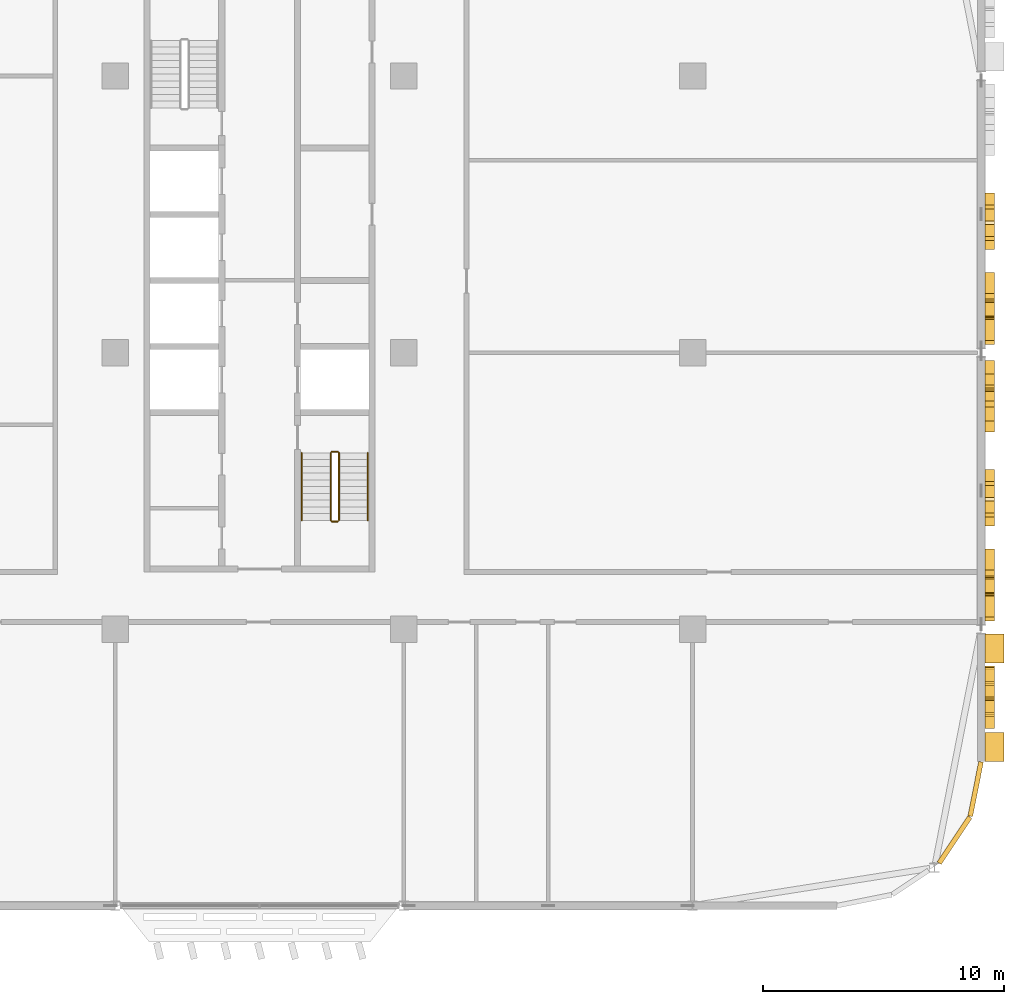
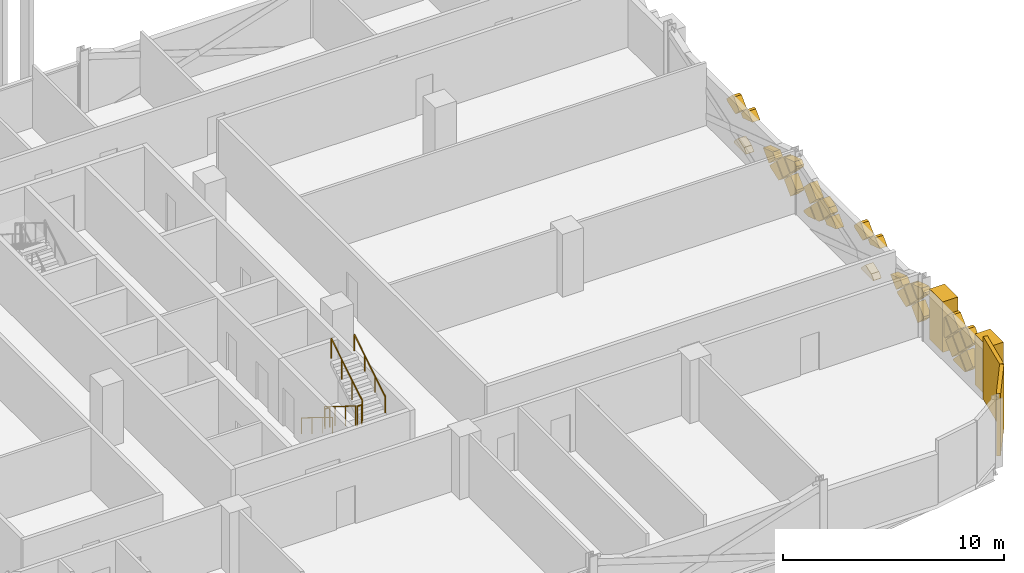
# One storey, part 29 of 30: 32 coverings, 6 railings.
"""IFC4 building model written with IfcOpenShell, lengths in metres."""

from ifc_helpers import new_model, si_unit, direction, frame, origin, origin_2d, place, context, subcontext, project, spatial, polyline, rectangle, circle, outline, extrude, material, layer, layer_set, type_object, element, save


model = new_model("IFC4")

# Units and contexts
model_context = context("Model", 3, precision=1e-05, world=origin(), true_north=direction((0.0, 1.0)))
body_context = subcontext(model_context, "Body", "Model", "MODEL_VIEW")
ifc_project = project(units=[si_unit("LENGTHUNIT", "METRE"), si_unit("AREAUNIT", "SQUARE_METRE"), si_unit("VOLUMEUNIT", "CUBIC_METRE"), si_unit("PLANEANGLEUNIT", "RADIAN"), si_unit("MASSUNIT", "GRAM", prefix="KILO")], contexts=[model_context])

# Site, building, storey
site_placement = place(None, origin())
site = spatial("IfcSite", under=ifc_project, at=site_placement, CompositionType="ELEMENT")
building_placement = place(site_placement, origin())
building = spatial("IfcBuilding", under=site, at=building_placement, Name="Mahtab Terrace Research Tower", CompositionType="ELEMENT")
storey_placement = place(building_placement, frame((0.0, 0.0, 209.10009765625)))
storey = spatial("IfcBuildingStorey", under=building, at=storey_placement, Name="L50", CompositionType="ELEMENT", Elevation=209.10009765625)

# Coverings
ifc_material_1 = material(Name="Black aluminium cladding panel", Category="aluminium")
ifc_layer_1 = layer(ifc_material_1, 0.199951171875)
ifc_layer_set_1 = layer_set([ifc_layer_1], Name="Black metal corner cladding 200")
covering_type_1 = type_object("IfcCoveringType", Name="Black metal corner cladding 200", PredefinedType="CLADDING", material=ifc_layer_set_1)
for number, where, z_axis, x_axis, name in (
    (1, (52.89306640625, -20.26953125, 0.0), (0.0, 0.0, 1.0), (0.555291490808, 0.831655794326, 0.0), "Corner cladding L50 33"),
    (2, (53.771484375, -18.14794921875, 0.0), (0.0, 0.0, 1.0), (0.195212442692, 0.980760981187, 0.0), "Corner cladding L50 34"),
):
    element("IfcCovering", number, at=place(storey_placement, frame(where, z_axis=z_axis, x_axis=x_axis)), inside=storey, type_object=covering_type_1, Name=name, PredefinedType="CLADDING", context=body_context, shape_type="SweptSolid", body=[
        extrude(rectangle(XDim=2.30126953125, YDim=0.199951171875, at=origin_2d()), origin(), (0.0, 0.0, 1.0), 3.4599609375),
    ])
ifc_material_2 = material(Name="Bronze anodised aluminium", Category="aluminium")
ifc_layer_2 = layer(ifc_material_2, 0.39990234375)
ifc_layer_set_2 = layer_set([ifc_layer_2], Name="Mashrabiya relief panel 400")
covering_type_2 = type_object("IfcCoveringType", Name="Mashrabiya relief panel 400", PredefinedType="CLADDING", material=ifc_layer_set_2)
covering_1_placement = place(storey_placement, frame((54.14990234375, -15.050048828125, 1.429931640625), z_axis=(-1.0, 0.0, 0.0), x_axis=(0.0, 0.707106781187, -0.707106781187)))
element("IfcCovering", 3, at=covering_1_placement, inside=storey, type_object=covering_type_2, Name="Mashrabiya lattice cell L50 E35.1", PredefinedType="CLADDING", context=body_context, shape_type="SweptSolid", body=[
    extrude(outline(polyline([(0.0, 0.0), (0.8203543516109556, 0.0), (0.820181718119455, 0.820181718119455), (0.0001726334915006511, 0.820181718119455), (0.0, 0.0)])), origin(), (0.0, 0.0, -1.0), 0.39990234375),
])
covering_2_placement = place(storey_placement, frame((54.14990234375, -14.469970703125, 2.14990234375), z_axis=(-1.0, 0.0, 0.0), x_axis=(0.0, -0.707106781187, -0.707106781187)))
element("IfcCovering", 4, at=covering_2_placement, inside=storey, type_object=covering_type_2, Name="Mashrabiya lattice cell L50 E35.2", PredefinedType="CLADDING", context=body_context, shape_type="SweptSolid", body=[
    extrude(outline(polyline([(0.0, 0.0), (0.8203543516109556, 0.0), (0.820181718119455, 0.820181718119455), (0.11739077422042293, 0.8203543516109555), (0.0, 0.7029635773905326), (0.0, 0.0)])), origin(), (0.0, 0.0, -1.0), 0.39990234375),
])
covering_3_placement = place(storey_placement, frame((54.14990234375, -14.97998046875, 0.199951171875), z_axis=(-1.0, 0.0, 0.0), x_axis=(0.0, 0.707255598772, 0.706957932274)))
element("IfcCovering", 5, at=covering_3_placement, inside=storey, type_object=covering_type_2, Name="Mashrabiya lattice cell L50 E35.3", PredefinedType="CLADDING", context=body_context, shape_type="SweptSolid", body=[
    extrude(outline(polyline([(0.0, 0.0), (0.8201817362875763, 0.0), (0.8203543334390104, 0.8200090664636573), (0.7285133179950809, 0.8200283973446179), (1.9330880960628793e-05, 0.09184101544392961), (0.0, 0.0)])), origin(), (0.0, 0.0, -1.0), 0.39990234375),
])
covering_4_placement = place(storey_placement, frame((54.14990234375, -14.39990234375, 2.079833984375), z_axis=(-1.0, 0.0, 0.0), x_axis=(0.0, 0.707106781187, -0.707106781187)))
element("IfcCovering", 6, at=covering_4_placement, inside=storey, type_object=covering_type_2, Name="Mashrabiya lattice cell L50 E35.4", PredefinedType="CLADDING", context=body_context, shape_type="SweptSolid", body=[
    extrude(outline(polyline([(0.0, 0.0), (0.8200090846279543, 0.0), (0.820181718119455, 0.820181718119455), (-0.0001726334915006511, 0.820181718119455), (0.0, 0.0)])), origin(), (0.0, 0.0, -1.0), 0.39990234375),
])
covering_5_placement = place(storey_placement, frame((54.14990234375, -13.75, 1.429931640625), z_axis=(-1.0, 0.0, 0.0), x_axis=(0.0, 0.707106781187, -0.707106781187)))
element("IfcCovering", 7, at=covering_5_placement, inside=storey, type_object=covering_type_2, Name="Mashrabiya lattice cell L50 E35.5", PredefinedType="CLADDING", context=body_context, shape_type="SweptSolid", body=[
    extrude(outline(polyline([(0.0, 0.0), (0.8203543516109556, 0.0), (0.820181718119455, 0.820181718119455), (0.0, 0.8203543516109556), (0.0, 0.0)])), origin(), (0.0, 0.0, -1.0), 0.39990234375),
])
covering_6_placement = place(storey_placement, frame((54.14990234375, -13.169921875, 2.14990234375), z_axis=(-1.0, 0.0, 0.0), x_axis=(0.0, -0.707106781187, -0.707106781187)))
element("IfcCovering", 8, at=covering_6_placement, inside=storey, type_object=covering_type_2, Name="Mashrabiya lattice cell L50 E35.6", PredefinedType="CLADDING", context=body_context, shape_type="SweptSolid", body=[
    extrude(outline(polyline([(0.0, 0.0), (0.8203543516109556, 0.0), (0.8203543516109556, 0.8203543516109556), (0.11739077422042293, 0.8203543516109555), (0.0, 0.7029635773905326), (0.0, 0.0)])), origin(), (0.0, 0.0, -1.0), 0.39990234375),
])
covering_7_placement = place(storey_placement, frame((54.14990234375, -13.10009765625, 0.919921875), z_axis=(-1.0, 0.0, 0.0), x_axis=(0.0, -0.706957932274, 0.707255598772)))
element("IfcCovering", 9, at=covering_7_placement, inside=storey, type_object=covering_type_2, Name="Mashrabiya lattice cell L50 E35.7", PredefinedType="CLADDING", context=body_context, shape_type="SweptSolid", body=[
    extrude(outline(polyline([(0.0, 0.0), (0.8201817362875763, 0.0), (0.8203543334390104, 0.8200090664636573), (0.7283407208436468, 0.8202010671685369), (-0.00015326627047352465, 0.09201368526784859), (0.0, 0.0)])), origin(), (0.0, 0.0, -1.0), 0.39990234375),
])
covering_8_placement = place(storey_placement, frame((54.14990234375, -10.64990234375, 1.429931640625), z_axis=(-1.0, 0.0, 0.0), x_axis=(0.0, 0.706957932274, -0.707255598772)))
element("IfcCovering", 10, at=covering_8_placement, inside=storey, type_object=covering_type_2, Name="Mashrabiya lattice cell L50 E36.1", PredefinedType="CLADDING", context=body_context, shape_type="SweptSolid", body=[
    extrude(outline(polyline([(0.0, 0.0), (0.8201817362875763, 0.0), (0.8203543334390104, 0.8200090664636573), (0.09201368526784859, 0.8203350025580498), (0.0001533389429583809, 0.7285133179950809), (0.0, 0.0)])), origin(), (0.0, 0.0, -1.0), 0.39990234375),
])
covering_9_placement = place(storey_placement, frame((54.14990234375, -10.64990234375, 1.56982421875), z_axis=(-1.0, 0.0, 0.0), x_axis=(0.0, -0.707106781187, 0.707106781187)))
element("IfcCovering", 11, at=covering_9_placement, inside=storey, type_object=covering_type_2, Name="Mashrabiya lattice cell L50 E36.2", PredefinedType="CLADDING", context=body_context, shape_type="SweptSolid", body=[
    extrude(outline(polyline([(0.0, 0.0), (0.7285133341326246, 0.0), (0.8203543516109555, 0.0918410174783309), (0.8203543516109555, 0.3380163763582178), (0.0, 0.7509556880277055), (0.0, 0.0)])), origin(), (0.0, 0.0, -1.0), 0.39990234375),
])
covering_10_placement = place(storey_placement, frame((54.14990234375, -9.419921875, 1.5), z_axis=(-1.0, 0.0, 0.0), x_axis=(0.0, -0.707106781187, -0.707106781187)))
element("IfcCovering", 12, at=covering_10_placement, inside=storey, type_object=covering_type_2, Name="Mashrabiya lattice cell L50 E36.3", PredefinedType="CLADDING", context=body_context, shape_type="SweptSolid", body=[
    extrude(outline(polyline([(0.0, 0.0), (0.8203543516109556, 0.0), (0.8203543516109556, 0.8203543516109556), (0.019852851522571546, 0.820181718119455), (0.0, 0.7820297164978175), (0.0, 0.0)])), origin(), (0.0, 0.0, -1.0), 0.39990234375),
])
covering_11_placement = place(storey_placement, frame((54.14990234375, -9.929931640625, 0.849853515625), z_axis=(-1.0, 0.0, 0.0), x_axis=(0.0, 0.706957932274, 0.707255598772)))
element("IfcCovering", 13, at=covering_11_placement, inside=storey, type_object=covering_type_2, Name="Mashrabiya lattice cell L50 E36.4", PredefinedType="CLADDING", context=body_context, shape_type="SweptSolid", body=[
    extrude(outline(polyline([(0.0, 0.0), (0.8201817362875763, 0.0), (0.8200090664636573, 0.8203543334390104), (0.685700213051294, 0.8203260638424177), (-9.999733910459607e-05, 0.4750873580858916), (0.0, 0.0)])), origin(), (0.0, 0.0, -1.0), 0.39990234375),
])
covering_12_placement = place(storey_placement, frame((54.14990234375, -8.699951171875, 0.919921875), z_axis=(-1.0, 0.0, 0.0), x_axis=(0.0, -0.707106781187, 0.707106781187)))
element("IfcCovering", 14, at=covering_12_placement, inside=storey, type_object=covering_type_2, Name="Mashrabiya lattice cell L50 E36.5", PredefinedType="CLADDING", context=body_context, shape_type="SweptSolid", body=[
    extrude(outline(polyline([(0.0, 0.0), (0.8203543516109556, 0.0), (0.8203543516109555, 0.3435406480862377), (0.0, 0.7564799597557255), (0.0, 0.0)])), origin(), (0.0, 0.0, -1.0), 0.39990234375),
])
covering_13_placement = place(storey_placement, frame((54.14990234375, -6.169921875, 2.14990234375), z_axis=(-1.0, 0.0, 0.0), x_axis=(0.0, -0.707611316692, -0.706601885427)))
element("IfcCovering", 15, at=covering_13_placement, inside=storey, type_object=covering_type_2, Name="Mashrabiya lattice cell L50 E36.6", PredefinedType="CLADDING", context=body_context, shape_type="SweptSolid", body=[
    extrude(outline(polyline([(0.0, 0.0), (0.2418595832031742, -1.3877787807814457e-17), (0.6540030246534507, 0.8197151154701122), (0.11797629331200066, 0.820270351954441), (0.0005017583142891135, 0.7029633983190657), (0.0, 0.0)])), origin(), (0.0, 0.0, -1.0), 0.39990234375),
])
covering_14_placement = place(storey_placement, frame((54.14990234375, -6.679931640625, 0.199951171875), z_axis=(-1.0, 0.0, 0.0), x_axis=(0.0, 0.707106781187, 0.707106781187)))
element("IfcCovering", 16, at=covering_14_placement, inside=storey, type_object=covering_type_2, Name="Mashrabiya lattice cell L50 E36.7", PredefinedType="CLADDING", context=body_context, shape_type="SweptSolid", body=[
    extrude(outline(polyline([(0.0, 0.0), (0.31660982341214067, 0.0), (0.820181718119455, 0.2532533320314124), (0.820181718119455, 0.820181718119455), (0.7283407006411241, 0.820181718119455), (0.0, 0.09184101747833089), (0.0, 0.0)])), origin(), (0.0, 0.0, -1.0), 0.39990234375),
])
covering_15_placement = place(storey_placement, frame((54.14990234375, -6.030029296875, 2.14990234375), z_axis=(-1.0, 0.0, 0.0), x_axis=(0.0, 0.707106781187, 0.707106781187)))
element("IfcCovering", 17, at=covering_15_placement, inside=storey, type_object=covering_type_2, Name="Mashrabiya lattice cell L50 E36.8", PredefinedType="CLADDING", context=body_context, shape_type="SweptSolid", body=[
    extrude(outline(polyline([(0.0, 0.0), (0.7029635773905326, 0.0), (0.8203543516109555, 0.11739077422042293), (0.820181718119455, 0.820181718119455), (0.6618768064133846, 0.8203543516109555), (0.0, 0.4864811790487527), (0.0, 0.0)])), origin(), (0.0, 0.0, -1.0), 0.39990234375),
])
covering_16_placement = place(storey_placement, frame((54.14990234375, -2.85009765625, 1.429931640625), z_axis=(-1.0, 0.0, 0.0), x_axis=(0.0, 0.707106781187, -0.707106781187)))
element("IfcCovering", 18, at=covering_16_placement, inside=storey, type_object=covering_type_2, Name="Mashrabiya lattice cell L50 E36.9", PredefinedType="CLADDING", context=body_context, shape_type="SweptSolid", body=[
    extrude(outline(polyline([(0.0, 0.0), (0.8203543516109556, 0.0), (0.8203543516109555, 0.22891200972982467), (0.0001726334915006511, 0.6420239548908131), (0.0, 0.0)])), origin(), (0.0, 0.0, -1.0), 0.39990234375),
])
covering_17_placement = place(storey_placement, frame((54.14990234375, -1.6201171875, 1.5), z_axis=(-1.0, 0.0, 0.0), x_axis=(0.0, -0.706957932274, -0.707255598772)))
element("IfcCovering", 19, at=covering_17_placement, inside=storey, type_object=covering_type_2, Name="Mashrabiya lattice cell L50 E36.10", PredefinedType="CLADDING", context=body_context, shape_type="SweptSolid", body=[
    extrude(outline(polyline([(0.0, 0.0), (0.8201817362875763, 0.0), (0.8200090664636573, 0.8203543334390104), (0.5273953411881315, 0.8201201100204537), (-0.00011663933812705585, 0.5541534954417557), (0.0, 0.0)])), origin(), (0.0, 0.0, -1.0), 0.39990234375),
])
covering_18_placement = place(storey_placement, frame((54.14990234375, -2.1298828125, 0.849853515625), z_axis=(-1.0, 0.0, 0.0), x_axis=(0.0, 0.706957932274, 0.707255598772)))
element("IfcCovering", 20, at=covering_18_placement, inside=storey, type_object=covering_type_2, Name="Mashrabiya lattice cell L50 E36.11", PredefinedType="CLADDING", context=body_context, shape_type="SweptSolid", body=[
    extrude(outline(polyline([(0.0, 0.0), (0.8201817362875763, 0.0), (0.8200090664636573, 0.8203543334390104), (0.13413625626092912, 0.8200373360602502), (-0.00011634864818782509, 0.5527724275403434), (0.0, 0.0)])), origin(), (0.0, 0.0, -1.0), 0.39990234375),
])
covering_19_placement = place(storey_placement, frame((54.14990234375, -0.385009765625, 0.135009765625), z_axis=(-1.0, 0.0, 0.0), x_axis=(0.0, -1.0, 0.0)))
element("IfcCovering", 21, at=covering_19_placement, inside=storey, type_object=covering_type_2, Name="Mashrabiya lattice cell L50 E36.12", PredefinedType="CLADDING", context=body_context, shape_type="SweptSolid", body=[
    extrude(outline(polyline([(0.0, 0.0), (0.3740234375, 0.0), (0.965087890625, 0.19482421875), (0.514892578125, 0.644775390625), (-0.050048828125, 0.079833984375), (-0.050048828125, 0.0498046875), (0.0, 0.0)])), origin(), (0.0, 0.0, -1.0), 0.39990234375),
])
covering_20_placement = place(storey_placement, frame((54.14990234375, -0.89990234375, 0.919921875), z_axis=(-1.0, 0.0, 0.0), x_axis=(0.0, -0.707106781187, 0.707106781187)))
element("IfcCovering", 22, at=covering_20_placement, inside=storey, type_object=covering_type_2, Name="Mashrabiya lattice cell L50 E36.13", PredefinedType="CLADDING", context=body_context, shape_type="SweptSolid", body=[
    extrude(outline(polyline([(0.0, 0.0), (0.8203543516109556, 0.0), (0.820181718119455, 0.820181718119455), (0.021233919454576533, 0.820181718119455), (0.0, 0.7989477986648784), (0.0, 0.0)])), origin(), (0.0, 0.0, -1.0), 0.39990234375),
])
covering_21_placement = place(storey_placement, frame((54.14990234375, 0.85009765625, 1.429931640625), z_axis=(-1.0, 0.0, 0.0), x_axis=(0.0, 0.706957932274, -0.707255598772)))
element("IfcCovering", 23, at=covering_21_placement, inside=storey, type_object=covering_type_2, Name="Mashrabiya lattice cell L50 E37.1", PredefinedType="CLADDING", context=body_context, shape_type="SweptSolid", body=[
    extrude(outline(polyline([(0.0, 0.0), (0.8201817362875763, 0.0), (0.8203543334390104, 0.8200090664636573), (0.09201368526784859, 0.8203350025580498), (0.0001533389429583809, 0.7285133179950809), (0.0, 0.0)])), origin(), (0.0, 0.0, -1.0), 0.39990234375),
])
covering_22_placement = place(storey_placement, frame((54.14990234375, 0.85009765625, 1.56982421875), z_axis=(-1.0, 0.0, 0.0), x_axis=(0.0, -0.707106781187, 0.707106781187)))
element("IfcCovering", 24, at=covering_22_placement, inside=storey, type_object=covering_type_2, Name="Mashrabiya lattice cell L50 E37.2", PredefinedType="CLADDING", context=body_context, shape_type="SweptSolid", body=[
    extrude(outline(polyline([(0.0, 0.0), (0.7285133341326246, 0.0), (0.8203543516109555, 0.0918410174783309), (0.8203543516109555, 0.3380163763582178), (0.0, 0.7509556880277055), (0.0, 0.0)])), origin(), (0.0, 0.0, -1.0), 0.39990234375),
])
covering_23_placement = place(storey_placement, frame((54.14990234375, 2.080078125, 1.5), z_axis=(-1.0, 0.0, 0.0), x_axis=(0.0, -0.707106781187, -0.707106781187)))
element("IfcCovering", 25, at=covering_23_placement, inside=storey, type_object=covering_type_2, Name="Mashrabiya lattice cell L50 E37.3", PredefinedType="CLADDING", context=body_context, shape_type="SweptSolid", body=[
    extrude(outline(polyline([(0.0, 0.0), (0.8203543516109556, 0.0), (0.8203543516109556, 0.8203543516109556), (0.019852851522571546, 0.820181718119455), (0.0, 0.7820297164978175), (0.0, 0.0)])), origin(), (0.0, 0.0, -1.0), 0.39990234375),
])
covering_24_placement = place(storey_placement, frame((54.14990234375, 1.570068359375, 0.849853515625), z_axis=(-1.0, 0.0, 0.0), x_axis=(0.0, 0.706957932274, 0.707255598772)))
element("IfcCovering", 26, at=covering_24_placement, inside=storey, type_object=covering_type_2, Name="Mashrabiya lattice cell L50 E37.4", PredefinedType="CLADDING", context=body_context, shape_type="SweptSolid", body=[
    extrude(outline(polyline([(0.0, 0.0), (0.8201817362875763, 0.0), (0.8200090664636573, 0.8203543334390104), (0.685700213051294, 0.8203260638424177), (-9.999733910459607e-05, 0.4750873580858916), (0.0, 0.0)])), origin(), (0.0, 0.0, -1.0), 0.39990234375),
])
covering_25_placement = place(storey_placement, frame((54.14990234375, 2.800048828125, 0.919921875), z_axis=(-1.0, 0.0, 0.0), x_axis=(0.0, -0.707106781187, 0.707106781187)))
element("IfcCovering", 27, at=covering_25_placement, inside=storey, type_object=covering_type_2, Name="Mashrabiya lattice cell L50 E37.5", PredefinedType="CLADDING", context=body_context, shape_type="SweptSolid", body=[
    extrude(outline(polyline([(0.0, 0.0), (0.8203543516109556, 0.0), (0.8203543516109555, 0.3435406480862377), (0.0, 0.7564799597557255), (0.0, 0.0)])), origin(), (0.0, 0.0, -1.0), 0.39990234375),
])
covering_26_placement = place(storey_placement, frame((54.14990234375, 5.330078125, 2.14990234375), z_axis=(-1.0, 0.0, 0.0), x_axis=(0.0, -0.707611316692, -0.706601885427)))
element("IfcCovering", 28, at=covering_26_placement, inside=storey, type_object=covering_type_2, Name="Mashrabiya lattice cell L50 E37.6", PredefinedType="CLADDING", context=body_context, shape_type="SweptSolid", body=[
    extrude(outline(polyline([(0.0, 0.0), (0.2418595832031742, -1.3877787807814457e-17), (0.6540030246534507, 0.8197151154701122), (0.11797629331200066, 0.820270351954441), (0.0005017583142891135, 0.7029633983190657), (0.0, 0.0)])), origin(), (0.0, 0.0, -1.0), 0.39990234375),
])
covering_27_placement = place(storey_placement, frame((54.14990234375, 4.820068359375, 0.199951171875), z_axis=(-1.0, 0.0, 0.0), x_axis=(0.0, 0.707106781187, 0.707106781187)))
element("IfcCovering", 29, at=covering_27_placement, inside=storey, type_object=covering_type_2, Name="Mashrabiya lattice cell L50 E37.7", PredefinedType="CLADDING", context=body_context, shape_type="SweptSolid", body=[
    extrude(outline(polyline([(0.0, 0.0), (0.31660982341214067, 0.0), (0.820181718119455, 0.2532533320314124), (0.820181718119455, 0.820181718119455), (0.7283407006411241, 0.820181718119455), (0.0, 0.09184101747833089), (0.0, 0.0)])), origin(), (0.0, 0.0, -1.0), 0.39990234375),
])
covering_28_placement = place(storey_placement, frame((54.14990234375, 5.469970703125, 2.14990234375), z_axis=(-1.0, 0.0, 0.0), x_axis=(0.0, 0.707106781187, 0.707106781187)))
element("IfcCovering", 30, at=covering_28_placement, inside=storey, type_object=covering_type_2, Name="Mashrabiya lattice cell L50 E37.8", PredefinedType="CLADDING", context=body_context, shape_type="SweptSolid", body=[
    extrude(outline(polyline([(0.0, 0.0), (0.7029635773905326, 0.0), (0.8203543516109555, 0.11739077422042293), (0.820181718119455, 0.820181718119455), (0.6618768064133846, 0.8203543516109555), (0.0, 0.4864811790487527), (0.0, 0.0)])), origin(), (0.0, 0.0, -1.0), 0.39990234375),
])
ifc_material_3 = material(Name="Glazed ceramic tile cladding", Category="masonry")
ifc_layer_3 = layer(ifc_material_3, 0.800048828125)
ifc_layer_set_3 = layer_set([ifc_layer_3], Name="Pishtaq frame pier 800")
covering_type_3 = type_object("IfcCoveringType", Name="Pishtaq frame pier 800", PredefinedType="CLADDING", material=ifc_layer_set_3)
for number, where, z_axis, x_axis, name in (
    (31, (54.550048828125, -16.39990234375, 0.0), (0.0, 0.0, 1.0), (0.0, 1.0, 0.0), "Pishtaq frame pier 35a"),
    (32, (54.550048828125, -12.300048828125, 0.0), (0.0, 0.0, 1.0), (0.0, 1.0, 0.0), "Pishtaq frame pier 35b"),
):
    element("IfcCovering", number, at=place(storey_placement, frame(where, z_axis=z_axis, x_axis=x_axis)), inside=storey, type_object=covering_type_3, Name=name, PredefinedType="CLADDING", context=body_context, shape_type="SweptSolid", body=[
        extrude(rectangle(XDim=1.199951171875, YDim=0.800048828125, at=origin_2d()), origin(), (0.0, 0.0, 1.0), 2.781982421875),
    ])

# Railings
ifc_material_4 = material(Name="Stainless steel AISI 304", Category="steel")
railing_type_1 = type_object("IfcRailingType", Name="Stair guard 1100", PredefinedType="GUARDRAIL", material=ifc_material_4)
railing_1_placement = place(storey_placement, frame((26.949951171875, -4.175048828125, 0.172607421875)))
element("IfcRailing", 33, at=railing_1_placement, inside=storey, type_object=railing_type_1, Name="L50 ST4 stair guard 1", PredefinedType="GUARDRAIL", context=body_context, shape_type="SweptSolid", body=[
    extrude(circle(Radius=0.02392578125, at=origin_2d()), frame((0.0, 0.0, 1.076171875), z_axis=(0.0, -0.851089632645, 0.525020415988), x_axis=(1.0, 0.0, 0.0)), (0.0, 0.0, 1.0), 3.2900390625),
    extrude(circle(Radius=0.02099609375, at=origin_2d()), origin(), (0.0, 0.0, 1.0), 1.052001953125),
    extrude(circle(Radius=0.02099609375, at=origin_2d()), frame((0.0, -0.933349609375, 0.57568359375)), (0.0, 0.0, 1.0), 1.052001953125),
    extrude(circle(Radius=0.02099609375, at=origin_2d()), frame((0.0, -1.86669921875, 1.151611328125)), (0.0, 0.0, 1.0), 1.052001953125),
    extrude(circle(Radius=0.02099609375, at=origin_2d()), frame((0.0, -2.800048828125, 1.727294921875)), (0.0, 0.0, 1.0), 1.052001953125),
])
railing_2_placement = place(storey_placement, frame((27.0, -7.02490234375, 1.89990234375)))
element("IfcRailing", 34, at=railing_2_placement, inside=storey, type_object=railing_type_1, Name="L50 ST4 stair guard 2", PredefinedType="GUARDRAIL", context=body_context, shape_type="SweptSolid", body=[
    extrude(circle(Radius=0.02392578125, at=origin_2d()), frame((0.0, 0.0, 1.076171875), z_axis=(1.0, 0.0, 0.0), x_axis=(0.0, 1.0, 0.0)), (0.0, 0.0, 1.0), 0.25),
    extrude(circle(Radius=0.02099609375, at=origin_2d()), origin(), (0.0, 0.0, 1.0), 1.052001953125),
    extrude(circle(Radius=0.02099609375, at=origin_2d()), frame((0.25, 0.0, 0.0)), (0.0, 0.0, 1.0), 1.052001953125),
])
railing_3_placement = place(storey_placement, frame((27.300048828125, -6.97509765625, 2.072509765625)))
element("IfcRailing", 35, at=railing_3_placement, inside=storey, type_object=railing_type_1, Name="L50 ST4 stair guard 3", PredefinedType="GUARDRAIL", context=body_context, shape_type="SweptSolid", body=[
    extrude(circle(Radius=0.02392578125, at=origin_2d()), frame((0.0, 0.0, 1.076171875), z_axis=(0.0, 0.851089632645, 0.525020415988), x_axis=(-1.0, 0.0, 0.0)), (0.0, 0.0, 1.0), 3.2900390625),
    extrude(circle(Radius=0.02099609375, at=origin_2d()), origin(), (0.0, 0.0, 1.0), 1.052001953125),
    extrude(circle(Radius=0.02099609375, at=origin_2d()), frame((0.0, 0.933349609375, 0.57568359375)), (0.0, 0.0, 1.0), 1.052001953125),
    extrude(circle(Radius=0.02099609375, at=origin_2d()), frame((0.0, 1.86669921875, 1.151611328125)), (0.0, 0.0, 1.0), 1.052001953125),
    extrude(circle(Radius=0.02099609375, at=origin_2d()), frame((0.0, 2.800048828125, 1.727294921875)), (0.0, 0.0, 1.0), 1.052001953125),
])
railing_4_placement = place(storey_placement, frame((27.0, -4.125, 0.0)))
element("IfcRailing", 36, at=railing_4_placement, inside=storey, type_object=railing_type_1, Name="L50 ST4 stair guard 4", PredefinedType="GUARDRAIL", context=body_context, shape_type="SweptSolid", body=[
    extrude(circle(Radius=0.02392578125, at=origin_2d()), frame((0.0, 0.0, 1.076171875), z_axis=(1.0, 0.0, 0.0), x_axis=(0.0, 1.0, 0.0)), (0.0, 0.0, 1.0), 0.25),
    extrude(circle(Radius=0.02099609375, at=origin_2d()), origin(), (0.0, 0.0, 1.0), 1.052001953125),
    extrude(circle(Radius=0.02099609375, at=origin_2d()), frame((0.25, 0.0, 0.0)), (0.0, 0.0, 1.0), 1.052001953125),
])
railing_type_2 = type_object("IfcRailingType", Name="Stair handrail 900", PredefinedType="HANDRAIL", material=ifc_material_4)
railing_5_placement = place(storey_placement, frame((25.75, -4.175048828125, 0.172607421875)))
element("IfcRailing", 37, at=railing_5_placement, inside=storey, type_object=railing_type_2, Name="L50 ST4 stair handrail 1", PredefinedType="HANDRAIL", context=body_context, shape_type="SweptSolid", body=[
    extrude(circle(Radius=0.02392578125, at=origin_2d()), frame((0.0, 0.0, 0.8759765625), z_axis=(0.0, -0.851089632645, 0.525020415988), x_axis=(1.0, 0.0, 0.0)), (0.0, 0.0, 1.0), 3.2900390625),
    extrude(circle(Radius=0.02099609375, at=origin_2d()), origin(), (0.0, 0.0, 1.0), 0.851806640625),
    extrude(circle(Radius=0.02099609375, at=origin_2d()), frame((0.0, -0.933349609375, 0.57568359375)), (0.0, 0.0, 1.0), 0.851806640625),
    extrude(circle(Radius=0.02099609375, at=origin_2d()), frame((0.0, -1.86669921875, 1.151611328125)), (0.0, 0.0, 1.0), 0.851806640625),
    extrude(circle(Radius=0.02099609375, at=origin_2d()), frame((0.0, -2.800048828125, 1.727294921875)), (0.0, 0.0, 1.0), 0.851806640625),
])
railing_6_placement = place(storey_placement, frame((28.5, -6.97509765625, 2.072509765625)))
element("IfcRailing", 38, at=railing_6_placement, inside=storey, type_object=railing_type_2, Name="L50 ST4 stair handrail 2", PredefinedType="HANDRAIL", context=body_context, shape_type="SweptSolid", body=[
    extrude(circle(Radius=0.02392578125, at=origin_2d()), frame((0.0, 0.0, 0.8759765625), z_axis=(0.0, 0.851089632645, 0.525020415988), x_axis=(-1.0, 0.0, 0.0)), (0.0, 0.0, 1.0), 3.2900390625),
    extrude(circle(Radius=0.02099609375, at=origin_2d()), origin(), (0.0, 0.0, 1.0), 0.851806640625),
    extrude(circle(Radius=0.02099609375, at=origin_2d()), frame((0.0, 0.933349609375, 0.57568359375)), (0.0, 0.0, 1.0), 0.851806640625),
    extrude(circle(Radius=0.02099609375, at=origin_2d()), frame((0.0, 1.86669921875, 1.151611328125)), (0.0, 0.0, 1.0), 0.851806640625),
    extrude(circle(Radius=0.02099609375, at=origin_2d()), frame((0.0, 2.800048828125, 1.727294921875)), (0.0, 0.0, 1.0), 0.851806640625),
])

save(model, "model.ifc")
